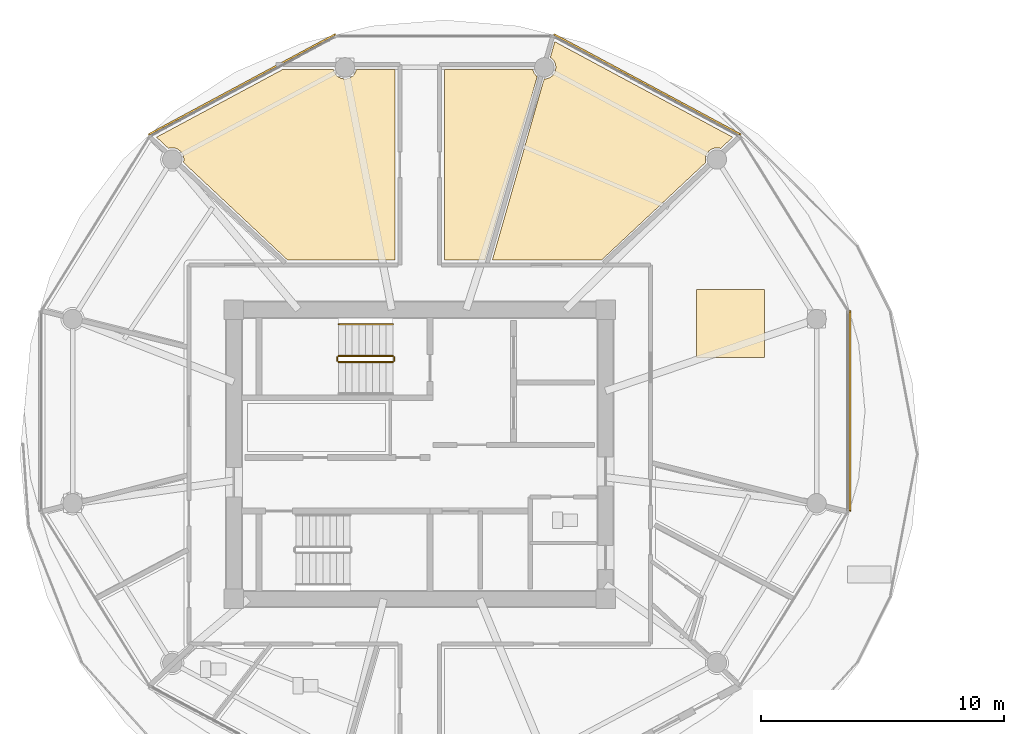
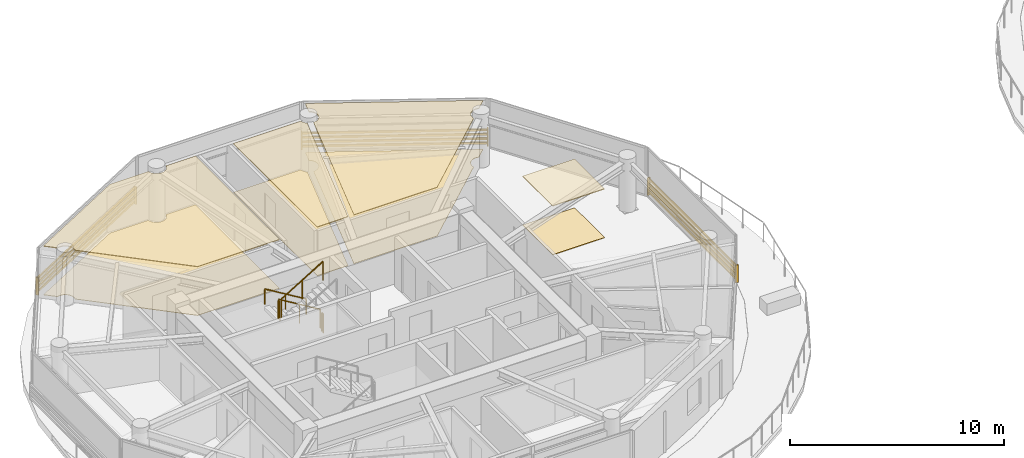
# One storey, part 21 of 28: 8 coverings, 5 railings, 3 shading devices.
"""IFC4 building model written with IfcOpenShell, lengths in metres."""

import ifcopenshell
import ifcopenshell.guid

model = None  # the IFC model being written
_history = None  # IfcOwnerHistory: only IFC2X3 demands one
_inside = {}  # id of a spatial element -> (the spatial element, [elements in it])
_under = {}  # id of a project, library or spatial element -> (it, [spatial elements below it])
_declared = {}  # id of a project -> (the project, [libraries it declares])
_typed = {}  # id of a type object -> (the type object, [elements of that type])
_made_of = {}  # id of a material, layer set ... -> (it, [elements and type objects made of it])


def new_model(schema):
    """Start an empty IFC model of exactly this schema.

    Asked for "IFC4X3", IfcOpenShell would pick the latest addendum, in which some entities
    have other attributes; the version numbers below select the first issue.
    IFC2X3 requires an IfcOwnerHistory on every rooted entity: one is made here for all.
    """
    global model, _history
    if schema == "IFC4X3":
        model = ifcopenshell.file(schema_version=(4, 3, 0, 0))
    else:
        model = ifcopenshell.file(schema=schema)
    _inside.clear()
    _under.clear()
    _declared.clear()
    _typed.clear()
    _made_of.clear()
    _history = None
    if model.schema == "IFC2X3":
        org = make("IfcOrganization", Name="unknown")
        user = make(
            "IfcPersonAndOrganization",
            ThePerson=make("IfcPerson", FamilyName="unknown"),
            TheOrganization=org,
        )
        app = make(
            "IfcApplication",
            ApplicationDeveloper=org,
            Version="unknown",
            ApplicationFullName="unknown",
            ApplicationIdentifier="unknown",
        )
        _history = make(
            "IfcOwnerHistory",
            OwningUser=user,
            OwningApplication=app,
            ChangeAction="ADDED",
            CreationDate=0,
        )
    return model


def make(cls, **values):
    """One entity of the class cls with the attributes given. An attribute that is None is left unset."""
    return model.create_entity(
        cls, **{name: value for name, value in values.items() if value is not None}
    )


def rooted(cls, **values):
    """An entity with a GlobalId (a new one), such as an element, a storey or a relation."""
    return make(cls, GlobalId=ifcopenshell.guid.new(), OwnerHistory=_history, **values)


def si_unit(unit_type, name, prefix=None):
    """IfcSIUnit, for example si_unit("LENGTHUNIT", "METRE", prefix="MILLI")."""
    return make("IfcSIUnit", UnitType=unit_type, Prefix=prefix, Name=name)


def assignment(units):
    """IfcUnitAssignment: the units of a project."""
    return None if units is None else make("IfcUnitAssignment", Units=units)


def point(xyz):
    """IfcCartesianPoint."""
    return None if xyz is None else make("IfcCartesianPoint", Coordinates=xyz)


def direction(xyz):
    """IfcDirection."""
    return None if xyz is None else make("IfcDirection", DirectionRatios=xyz)


def frame(location, z_axis=None, x_axis=None):
    """IfcAxis2Placement3D, a coordinate frame: its origin and axes. An axis left out is left unset."""
    return make(
        "IfcAxis2Placement3D",
        Location=point(location),
        Axis=direction(z_axis),
        RefDirection=direction(x_axis),
    )


def frame_2d(location, x_axis=None):
    """IfcAxis2Placement2D, a coordinate frame in the plane: its origin and x axis."""
    return make(
        "IfcAxis2Placement2D", Location=point(location), RefDirection=direction(x_axis)
    )


def origin():
    """The frame at (0, 0, 0) with its axes left unset."""
    return frame((0.0, 0.0, 0.0))


def origin_2d():
    """The frame at (0, 0) in the plane with its x axis left unset."""
    return frame_2d((0.0, 0.0))


def place(relative_to, where):
    """IfcLocalPlacement: puts the frame where relative to a parent placement (None: the world)."""
    return make(
        "IfcLocalPlacement", PlacementRelTo=relative_to, RelativePlacement=where
    )


def context(
    kind, dimensions, precision=None, world=None, true_north=None, identifier=None
):
    """IfcGeometricRepresentationContext, for example the 3D "Model" context."""
    return make(
        "IfcGeometricRepresentationContext",
        ContextIdentifier=identifier,
        ContextType=kind,
        CoordinateSpaceDimension=dimensions,
        Precision=precision,
        WorldCoordinateSystem=world,
        TrueNorth=true_north,
    )


def subcontext(parent, identifier, kind, view, scale=None):
    """IfcGeometricRepresentationSubContext, for example "Body" below "Model"."""
    return make(
        "IfcGeometricRepresentationSubContext",
        ContextIdentifier=identifier,
        ContextType=kind,
        ParentContext=parent,
        TargetScale=scale,
        TargetView=view,
    )


def project(units=None, contexts=None):
    """IfcProject with its units and contexts."""
    return rooted(
        "IfcProject",
        Name="project",
        RepresentationContexts=contexts,
        UnitsInContext=assignment(units),
    )


def spatial(cls, under=None, at=None, **own):
    """A site, building, storey or space (cls), placed at a placement, below another one or the project."""
    s = rooted(cls, ObjectPlacement=at, **own)
    if under is not None:
        _under.setdefault(under.id(), (under, []))[1].append(s)
    return s


def polyline(points):
    """IfcPolyline through the points."""
    return make("IfcPolyline", Points=[point(p) for p in points])


def profile(cls, at=None, kind="AREA", **sizes):
    """A parametric profile (cls). Its sizes go by their IFC names, for example OverallWidth=200.0."""
    return make(cls, ProfileType=kind, Position=at, **sizes)


def rectangle(**sizes):
    """IfcRectangleProfileDef."""
    return profile("IfcRectangleProfileDef", **sizes)


def outline(outer, holes=None, kind="AREA"):
    """IfcArbitraryClosedProfileDef: a profile drawn as a closed curve; with holes, ...WithVoids."""
    if holes is None:
        return make("IfcArbitraryClosedProfileDef", ProfileType=kind, OuterCurve=outer)
    return make(
        "IfcArbitraryProfileDefWithVoids",
        ProfileType=kind,
        OuterCurve=outer,
        InnerCurves=holes,
    )


def extrude(swept, where, along, depth):
    """IfcExtrudedAreaSolid: the profile swept, set in the frame where, extruded along a direction by depth."""
    return make(
        "IfcExtrudedAreaSolid",
        SweptArea=swept,
        Position=where,
        ExtrudedDirection=direction(along),
        Depth=depth,
    )


def shape(context_of_items, identifier, shape_type, items):
    """IfcShapeRepresentation: the items that make up one representation, for example the "Body"."""
    return make(
        "IfcShapeRepresentation",
        ContextOfItems=context_of_items,
        RepresentationIdentifier=identifier,
        RepresentationType=shape_type,
        Items=items,
    )


def source(mapping_origin, context_of_items, identifier, shape_type, items):
    """IfcRepresentationMap: a shape defined once, which mapped items show again and again."""
    return make(
        "IfcRepresentationMap",
        MappingOrigin=mapping_origin,
        MappedRepresentation=shape(context_of_items, identifier, shape_type, items),
    )


def transform(
    local_origin,
    x_axis=None,
    y_axis=None,
    z_axis=None,
    scale=None,
    scale2=None,
    scale3=None,
    uniform=True,
):
    """IfcCartesianTransformationOperator3D, or its non-uniform kind. x_axis, y_axis, z_axis: its Axis1, 2, 3."""
    if uniform:
        return make(
            "IfcCartesianTransformationOperator3D",
            Axis1=direction(x_axis),
            Axis2=direction(y_axis),
            LocalOrigin=point(local_origin),
            Scale=scale,
            Axis3=direction(z_axis),
        )
    return make(
        "IfcCartesianTransformationOperator3DnonUniform",
        Axis1=direction(x_axis),
        Axis2=direction(y_axis),
        LocalOrigin=point(local_origin),
        Scale=scale,
        Axis3=direction(z_axis),
        Scale2=scale2,
        Scale3=scale3,
    )


def mapped(mapping_source, mapping_target):
    """IfcMappedItem: shows the shape of a source again, moved by a transform."""
    return make(
        "IfcMappedItem", MappingSource=mapping_source, MappingTarget=mapping_target
    )


def material(Name=None, Category=None):
    """IfcMaterial."""
    return make("IfcMaterial", Name=Name, Category=Category)


def layer(
    of_material, thickness, ventilated=None, Name=None, Category=None, Priority=None
):
    """IfcMaterialLayer: one layer of a wall or slab, of a material (None: an air gap)."""
    return make(
        "IfcMaterialLayer",
        Material=of_material,
        LayerThickness=thickness,
        IsVentilated=ventilated,
        Name=Name,
        Category=Category,
        Priority=Priority,
    )


def layer_set(layers, Name=None):
    """IfcMaterialLayerSet."""
    return make("IfcMaterialLayerSet", MaterialLayers=layers, LayerSetName=Name)


def made_of(thing, what):
    """Note that an element or type object is made of a material, layer set ...; save() writes the relation."""
    if what is not None:
        _made_of.setdefault(what.id(), (what, []))[1].append(thing)
    return thing


def type_object(cls, material=None, **own):
    """A type object (cls), such as IfcWallType, which elements share."""
    return made_of(rooted(cls, **own), material)


def type_shapes(of_type, sources):
    """Give a type object the sources (RepresentationMaps) that its elements show as mapped items."""
    of_type.RepresentationMaps = sources


def element(
    cls,
    number,
    at=None,
    inside=None,
    cuts=None,
    type_object=None,
    material=None,
    context=None,
    identifier="Body",
    shape_type=None,
    held_by="IfcProductDefinitionShape",
    body=None,
    shapes=None,
    **own,
):
    """One element of the class cls, such as IfcWall. Its Tag is "e" and its number.

    at: its placement. inside: the storey or other place that contains it. cuts: it is an
    opening in that element (IfcRelVoidsElement). A single representation is given by context,
    identifier, shape_type and body (its items); several are given by shapes. held_by: the class
    of the entity that holds the representations. save() writes the other relations.
    """
    e = rooted(cls, Tag="e%d" % number, ObjectPlacement=at, **own)
    if body is not None:
        shapes = [shape(context, identifier, shape_type, body)]
    if shapes is not None:
        e.Representation = make(held_by, Representations=shapes)
    if inside is not None:
        _inside.setdefault(inside.id(), (inside, []))[1].append(e)
    if cuts is not None:
        rooted(
            "IfcRelVoidsElement", RelatingBuildingElement=cuts, RelatedOpeningElement=e
        )
    if type_object is not None:
        _typed.setdefault(type_object.id(), (type_object, []))[1].append(e)
    return made_of(e, material)


def aggregate(whole, parts):
    """IfcRelAggregates: a whole, such as a stair, and the parts it consists of."""
    return rooted("IfcRelAggregates", RelatingObject=whole, RelatedObjects=parts)


def save(model, path):
    """Write the relations noted so far, then the file.

    IfcRelAggregates (storeys below a building ...), IfcRelContainedInSpatialStructure (elements
    in a storey), IfcRelDefinesByType, IfcRelAssociatesMaterial and IfcRelDeclares: one each for
    every whole, place, type object, material and project.
    """
    for whole, parts in _under.values():
        aggregate(whole, parts)
    for where, things in _inside.values():
        rooted(
            "IfcRelContainedInSpatialStructure",
            RelatedElements=things,
            RelatingStructure=where,
        )
    for kind, things in _typed.values():
        rooted("IfcRelDefinesByType", RelatedObjects=things, RelatingType=kind)
    for what, things in _made_of.values():
        rooted("IfcRelAssociatesMaterial", RelatedObjects=things, RelatingMaterial=what)
    for by, libraries in _declared.values():
        rooted("IfcRelDeclares", RelatingContext=by, RelatedDefinitions=libraries)
    model.write(path)


model = new_model("IFC4")

# Units and contexts
model_context = context("Model", 3, precision=1e-05, world=origin(), true_north=direction((0.0, 1.0)))
body_context = subcontext(model_context, "Body", "Model", "MODEL_VIEW")
ifc_project = project(units=[si_unit("LENGTHUNIT", "METRE"), si_unit("AREAUNIT", "SQUARE_METRE"), si_unit("VOLUMEUNIT", "CUBIC_METRE"), si_unit("PLANEANGLEUNIT", "RADIAN"), si_unit("MASSUNIT", "GRAM", prefix="KILO")], contexts=[model_context])

# Site, building, storey
site_placement = place(None, origin())
site = spatial("IfcSite", under=ifc_project, at=site_placement, CompositionType="ELEMENT")
building_placement = place(site_placement, origin())
building = spatial("IfcBuilding", under=site, at=building_placement, Name="Norrkilde Senior Care Towers", CompositionType="ELEMENT")
storey_placement = place(building_placement, frame((0.0, 0.0, 134.300048828125)))
storey = spatial("IfcBuildingStorey", under=building, at=storey_placement, Name="L41", CompositionType="ELEMENT", Elevation=134.300048828125)

# Coverings
ifc_material_1 = material(Name="Nordic Ash Timber", Category="wood")
ifc_layer_1 = layer(ifc_material_1, 0.044921875)
ifc_layer_set_1 = layer_set([ifc_layer_1], Name="Nordic Ash Timber")
covering_type_1 = type_object("IfcCoveringType", Name="Acoustic Ash Timber Slatted Ceiling 45", PredefinedType="CEILING", material=ifc_layer_set_1)
covering_1_placement = place(storey_placement, frame((0.0, 0.0, 2.764892578125)))
element("IfcCovering", 1, at=covering_1_placement, inside=storey, type_object=covering_type_1, Name="L41 Suspended Ceiling 0274", PredefinedType="CEILING", context=body_context, shape_type="SweptSolid", body=[
    extrude(outline(polyline([(-31.546630859375, 15.845458984375), (-31.541015625, 15.802001953125), (-31.492919921875, 15.686279296875), (-31.416748046875, 15.586669921875), (-31.3173828125, 15.510498046875), (-31.201416015625, 15.46240234375), (-31.077392578125, 15.446044921875), (-30.953125, 15.46240234375), (-30.83740234375, 15.510498046875), (-30.73779296875, 15.586669921875), (-30.66162109375, 15.686279296875), (-30.613525390625, 15.802001953125), (-30.60791015625, 15.845458984375), (-29.02001953125, 15.845458984375), (-29.02001953125, 8.0), (-33.4404296875, 8.0), (-37.718994140625, 12.01025390625), (-37.718994140625, 12.01025390625), (-37.70263671875, 12.134521484375), (-37.718994140625, 12.2587890625), (-37.766845703125, 12.37451171875), (-37.84326171875, 12.473876953125), (-37.942626953125, 12.550048828125), (-38.058349609375, 12.59814453125), (-38.1826171875, 12.614501953125), (-38.306884765625, 12.59814453125), (-38.334228515625, 12.5869140625), (-38.830810546875, 13.05224609375), (-33.628662109375, 15.845458984375), (-31.546630859375, 15.845458984375)])), origin(), (0.0, 0.0, 1.0), 0.045166015625),
])
covering_2_placement = place(storey_placement, frame((0.0, 0.0, 2.764892578125)))
element("IfcCovering", 2, at=covering_2_placement, inside=storey, type_object=covering_type_1, Name="L41 Suspended Ceiling 0275", PredefinedType="CEILING", context=body_context, shape_type="SweptSolid", body=[
    extrude(outline(polyline([(-25.3203125, 8.0), (-26.97998046875, 8.0), (-26.97998046875, 15.845458984375), (-23.342041015625, 15.845458984375), (-23.33642578125, 15.802001953125), (-23.288330078125, 15.686279296875), (-23.212158203125, 15.586669921875), (-23.162353515625, 15.548583984375), (-25.3203125, 8.0)])), origin(), (0.0, 0.0, 1.0), 0.045166015625),
])
covering_3_placement = place(storey_placement, frame((0.0, 0.0, 2.764892578125)))
element("IfcCovering", 3, at=covering_3_placement, inside=storey, type_object=covering_type_1, Name="L41 Suspended Ceiling 0286", PredefinedType="CEILING", context=body_context, shape_type="SweptSolid", body=[
    extrude(outline(polyline([(-16.602294921875, 3.98486328125), (-16.602294921875, 6.784912109375), (-13.802490234375, 6.784912109375), (-13.802490234375, 3.98486328125), (-16.602294921875, 3.98486328125)])), origin(), (0.0, 0.0, 1.0), 0.045166015625),
])
covering_4_placement = place(storey_placement, frame((0.0, 0.0, 2.764892578125)))
element("IfcCovering", 4, at=covering_4_placement, inside=storey, type_object=covering_type_1, Name="L41 Suspended Ceiling 0287", PredefinedType="CEILING", context=body_context, shape_type="SweptSolid", body=[
    extrude(outline(polyline([(-15.64306640625, 12.59814453125), (-15.767333984375, 12.614501953125), (-15.8916015625, 12.59814453125), (-16.00732421875, 12.550048828125), (-16.106689453125, 12.473876953125), (-16.18310546875, 12.37451171875), (-16.23095703125, 12.2587890625), (-16.247314453125, 12.134521484375), (-16.23095703125, 12.01025390625), (-16.23095703125, 12.01025390625), (-20.509521484375, 8.0), (-25.00830078125, 8.0), (-22.87939453125, 15.447021484375), (-22.872802734375, 15.446044921875), (-22.74853515625, 15.46240234375), (-22.6328125, 15.510498046875), (-22.533203125, 15.586669921875), (-22.45703125, 15.686279296875), (-22.4091796875, 15.802001953125), (-22.392822265625, 15.92626953125), (-22.4091796875, 16.05029296875), (-22.45703125, 16.166259765625), (-22.533203125, 16.265625), (-22.625244140625, 16.336181640625), (-22.4404296875, 16.983154296875), (-15.119384765625, 13.05224609375), (-15.61572265625, 12.5869140625), (-15.64306640625, 12.59814453125)])), origin(), (0.0, 0.0, 1.0), 0.045166015625),
])
ifc_material_2 = material(Name="Slip-Resistant Porcelain Stone", Category="masonry")
ifc_layer_2 = layer(ifc_material_2, 0.02490234375)
ifc_layer_set_2 = layer_set([ifc_layer_2], Name="Slip-Resistant Porcelain Stone")
covering_type_2 = type_object("IfcCoveringType", Name="Slip-Resistant Porcelain Flooring 25", PredefinedType="FLOORING", material=ifc_layer_set_2)
covering_5_placement = place(storey_placement, origin())
element("IfcCovering", 5, at=covering_5_placement, inside=storey, type_object=covering_type_2, Name="L41 Floor Finish 0274", PredefinedType="FLOORING", context=body_context, shape_type="SweptSolid", body=[
    extrude(outline(polyline([(-31.546630859375, 15.845458984375), (-31.541015625, 15.802001953125), (-31.492919921875, 15.686279296875), (-31.416748046875, 15.586669921875), (-31.3173828125, 15.510498046875), (-31.201416015625, 15.46240234375), (-31.077392578125, 15.446044921875), (-30.953125, 15.46240234375), (-30.83740234375, 15.510498046875), (-30.73779296875, 15.586669921875), (-30.66162109375, 15.686279296875), (-30.613525390625, 15.802001953125), (-30.60791015625, 15.845458984375), (-29.02001953125, 15.845458984375), (-29.02001953125, 8.0), (-33.4404296875, 8.0), (-37.718994140625, 12.01025390625), (-37.718994140625, 12.01025390625), (-37.70263671875, 12.134521484375), (-37.718994140625, 12.2587890625), (-37.766845703125, 12.37451171875), (-37.84326171875, 12.473876953125), (-37.942626953125, 12.550048828125), (-38.058349609375, 12.59814453125), (-38.1826171875, 12.614501953125), (-38.306884765625, 12.59814453125), (-38.334228515625, 12.5869140625), (-38.830810546875, 13.05224609375), (-33.628662109375, 15.845458984375), (-31.546630859375, 15.845458984375)])), origin(), (0.0, 0.0, 1.0), 0.02490234375),
])
covering_6_placement = place(storey_placement, origin())
element("IfcCovering", 6, at=covering_6_placement, inside=storey, type_object=covering_type_2, Name="L41 Floor Finish 0275", PredefinedType="FLOORING", context=body_context, shape_type="SweptSolid", body=[
    extrude(outline(polyline([(-25.3203125, 8.0), (-26.97998046875, 8.0), (-26.97998046875, 15.845458984375), (-23.342041015625, 15.845458984375), (-23.33642578125, 15.802001953125), (-23.288330078125, 15.686279296875), (-23.212158203125, 15.586669921875), (-23.162353515625, 15.548583984375), (-25.3203125, 8.0)])), origin(), (0.0, 0.0, 1.0), 0.02490234375),
])
covering_7_placement = place(storey_placement, origin())
element("IfcCovering", 7, at=covering_7_placement, inside=storey, type_object=covering_type_2, Name="L41 Floor Finish 0286", PredefinedType="FLOORING", context=body_context, shape_type="SweptSolid", body=[
    extrude(outline(polyline([(-16.602294921875, 3.98486328125), (-16.602294921875, 6.784912109375), (-13.802490234375, 6.784912109375), (-13.802490234375, 3.98486328125), (-16.602294921875, 3.98486328125)])), origin(), (0.0, 0.0, 1.0), 0.02490234375),
])
covering_8_placement = place(storey_placement, origin())
element("IfcCovering", 8, at=covering_8_placement, inside=storey, type_object=covering_type_2, Name="L41 Floor Finish 0287", PredefinedType="FLOORING", context=body_context, shape_type="SweptSolid", body=[
    extrude(outline(polyline([(-15.64306640625, 12.59814453125), (-15.767333984375, 12.614501953125), (-15.8916015625, 12.59814453125), (-16.00732421875, 12.550048828125), (-16.106689453125, 12.473876953125), (-16.18310546875, 12.37451171875), (-16.23095703125, 12.2587890625), (-16.247314453125, 12.134521484375), (-16.23095703125, 12.01025390625), (-16.23095703125, 12.01025390625), (-20.509521484375, 8.0), (-25.00830078125, 8.0), (-22.87939453125, 15.447021484375), (-22.872802734375, 15.446044921875), (-22.74853515625, 15.46240234375), (-22.6328125, 15.510498046875), (-22.533203125, 15.586669921875), (-22.45703125, 15.686279296875), (-22.4091796875, 15.802001953125), (-22.392822265625, 15.92626953125), (-22.4091796875, 16.05029296875), (-22.45703125, 16.166259765625), (-22.533203125, 16.265625), (-22.625244140625, 16.336181640625), (-22.4404296875, 16.983154296875), (-15.119384765625, 13.05224609375), (-15.61572265625, 12.5869140625), (-15.64306640625, 12.59814453125)])), origin(), (0.0, 0.0, 1.0), 0.02490234375),
])

# Railings
ifc_material_3 = material(Name="Stainless Steel", Category="steel")
railing_type_1 = type_object("IfcRailingType", Name="Stair and Terrace Guardrail 1100", PredefinedType="GUARDRAIL", material=ifc_material_3)
railing_1_placement = place(storey_placement, frame((-29.10009765625, 4.050048828125, 0.16943359375)))
element("IfcRailing", 9, at=railing_1_placement, inside=storey, type_object=railing_type_1, Name="L41 ST-W1 stair guard 1", PredefinedType="GUARDRAIL", context=body_context, shape_type="SweptSolid", body=[
    extrude(rectangle(XDim=0.048095703125, YDim=0.048095703125, at=origin_2d()), frame((0.0, 0.0, 1.076171875), z_axis=(-0.855553338991, 0.0, 0.51771467445), x_axis=(0.0, -1.0, 0.0)), (0.0, 0.0, 1.0), 2.6181640625),
    extrude(rectangle(XDim=0.0419921875, YDim=0.0419921875, at=origin_2d()), origin(), (0.0, 0.0, 1.0), 1.050048828125),
    extrude(rectangle(XDim=0.0419921875, YDim=0.0419921875, at=origin_2d()), frame((-1.1201171875, 0.0, 0.677734375)), (0.0, 0.0, 1.0), 1.050048828125),
    extrude(rectangle(XDim=0.0419921875, YDim=0.0419921875, at=origin_2d()), frame((-2.239990234375, 0.0, 1.35546875)), (0.0, 0.0, 1.0), 1.050048828125),
])
railing_2_placement = place(storey_placement, frame((-31.389892578125, 4.0, 1.52490234375)))
element("IfcRailing", 10, at=railing_2_placement, inside=storey, type_object=railing_type_1, Name="L41 ST-W1 stair guard 2", PredefinedType="GUARDRAIL", context=body_context, shape_type="SweptSolid", body=[
    extrude(rectangle(XDim=0.048095703125, YDim=0.048095703125, at=origin_2d()), frame((0.0, 0.0, 1.076171875), z_axis=(0.0, -1.0, 0.0), x_axis=(1.0, 0.0, 0.0)), (0.0, 0.0, 1.0), 0.14990234375),
    extrude(rectangle(XDim=0.0419921875, YDim=0.0419921875, at=origin_2d()), origin(), (0.0, 0.0, 1.0), 1.050048828125),
    extrude(rectangle(XDim=0.0419921875, YDim=0.0419921875, at=origin_2d()), frame((0.0, -0.14990234375, 0.0)), (0.0, 0.0, 1.0), 1.050048828125),
])
railing_3_placement = place(storey_placement, frame((-31.340087890625, 3.800048828125, 1.6943359375)))
element("IfcRailing", 11, at=railing_3_placement, inside=storey, type_object=railing_type_1, Name="L41 ST-W1 stair guard 3", PredefinedType="GUARDRAIL", context=body_context, shape_type="SweptSolid", body=[
    extrude(rectangle(XDim=0.048095703125, YDim=0.048095703125, at=origin_2d()), frame((0.0, 0.0, 1.076171875), z_axis=(0.855512035549, 0.0, 0.517782924622), x_axis=(0.0, 1.0, 0.0)), (0.0, 0.0, 1.0), 2.618408203125),
    extrude(rectangle(XDim=0.0419921875, YDim=0.0419921875, at=origin_2d()), origin(), (0.0, 0.0, 1.0), 1.050048828125),
    extrude(rectangle(XDim=0.0419921875, YDim=0.0419921875, at=origin_2d()), frame((1.1201171875, 0.0, 0.677734375)), (0.0, 0.0, 1.0), 1.050048828125),
    extrude(rectangle(XDim=0.0419921875, YDim=0.0419921875, at=origin_2d()), frame((2.239990234375, 0.0, 1.355712890625)), (0.0, 0.0, 1.0), 1.050048828125),
])
railing_4_placement = place(storey_placement, frame((-29.050048828125, 4.0, 0.0)))
element("IfcRailing", 12, at=railing_4_placement, inside=storey, type_object=railing_type_1, Name="L41 ST-W1 stair guard 4", PredefinedType="GUARDRAIL", context=body_context, shape_type="SweptSolid", body=[
    extrude(rectangle(XDim=0.048095703125, YDim=0.048095703125, at=origin_2d()), frame((0.0, 0.0, 1.076171875), z_axis=(0.0, -1.0, 0.0), x_axis=(1.0, 0.0, 0.0)), (0.0, 0.0, 1.0), 0.14990234375),
    extrude(rectangle(XDim=0.0419921875, YDim=0.0419921875, at=origin_2d()), origin(), (0.0, 0.0, 1.0), 1.050048828125),
    extrude(rectangle(XDim=0.0419921875, YDim=0.0419921875, at=origin_2d()), frame((0.0, -0.14990234375, 0.0)), (0.0, 0.0, 1.0), 1.050048828125),
])
railing_type_2 = type_object("IfcRailingType", Name="Wall and Stair Handrail 900", PredefinedType="HANDRAIL", material=ifc_material_1)
railing_5_placement = place(storey_placement, frame((-29.10009765625, 5.35009765625, 0.16943359375)))
element("IfcRailing", 13, at=railing_5_placement, inside=storey, type_object=railing_type_2, Name="L41 ST-W1 stair handrail 1", PredefinedType="HANDRAIL", context=body_context, shape_type="SweptSolid", body=[
    extrude(rectangle(XDim=0.048095703125, YDim=0.048095703125, at=origin_2d()), frame((0.0, 0.0, 0.8759765625), z_axis=(-0.855553338991, 0.0, 0.51771467445), x_axis=(0.0, -1.0, 0.0)), (0.0, 0.0, 1.0), 2.6181640625),
    extrude(rectangle(XDim=0.0419921875, YDim=0.0419921875, at=origin_2d()), origin(), (0.0, 0.0, 1.0), 0.849853515625),
    extrude(rectangle(XDim=0.0419921875, YDim=0.0419921875, at=origin_2d()), frame((-1.1201171875, 0.0, 0.677734375)), (0.0, 0.0, 1.0), 0.849853515625),
    extrude(rectangle(XDim=0.0419921875, YDim=0.0419921875, at=origin_2d()), frame((-2.239990234375, 0.0, 1.35546875)), (0.0, 0.0, 1.0), 0.849853515625),
])

# Shading devices
ifc_material_4 = material(Name="Architectural Terracotta", Category="masonry")
shading_device_type = type_object("IfcShadingDeviceType", Name="Horizontal Terracotta Baguette Rack", PredefinedType="USERDEFINED", material=ifc_material_4)
shared_shape_1 = source(origin(), body_context, "Body", "SweptSolid", [
    extrude(rectangle(XDim=0.070068359375, YDim=0.110107421875, at=origin_2d()), frame((0.0, 0.090087890625, 0.125), z_axis=(1.0, 0.0, 0.0), x_axis=(0.0, 1.0, 0.0)), (0.0, 0.0, 1.0), 8.741943359375),
    extrude(rectangle(XDim=0.070068359375, YDim=0.110107421875, at=origin_2d()), frame((0.0, 0.090087890625, 0.375), z_axis=(1.0, 0.0, 0.0), x_axis=(0.0, 1.0, 0.0)), (0.0, 0.0, 1.0), 8.741943359375),
    extrude(rectangle(XDim=0.070068359375, YDim=0.110107421875, at=origin_2d()), frame((0.0, 0.090087890625, 0.625), z_axis=(1.0, 0.0, 0.0), x_axis=(0.0, 1.0, 0.0)), (0.0, 0.0, 1.0), 8.741943359375),
    extrude(rectangle(XDim=0.070068359375, YDim=0.110107421875, at=origin_2d()), frame((0.0, 0.090087890625, 0.875), z_axis=(1.0, 0.0, 0.0), x_axis=(0.0, 1.0, 0.0)), (0.0, 0.0, 1.0), 8.741943359375),
    extrude(rectangle(XDim=0.050048828125, YDim=0.1552734375, at=origin_2d()), frame((0.02490234375, 0.047607421875, 0.0)), (0.0, 0.0, 1.0), 1.0),
    extrude(rectangle(XDim=0.050048828125, YDim=0.1552734375, at=origin_2d()), frame((8.716796875, 0.047607421875, 0.0)), (0.0, 0.0, 1.0), 1.0),
])
shading_device_1_placement = place(storey_placement, frame((-22.528564453125, 17.2109375, 0.079833984375), z_axis=(0.0, 0.0, 1.0), x_axis=(0.881000921608, -0.473119781048, 0.0)))
element("IfcShadingDevice", 14, at=shading_device_1_placement, inside=storey, type_object=shading_device_type, Name="L41 Drum W Terracotta Baguette Screen 01", ObjectType="BAGUETTE", PredefinedType="USERDEFINED", context=body_context, shape_type="MappedRepresentation", body=[
    mapped(shared_shape_1, transform((0.0, 0.0, 0.0), x_axis=(1.0, 0.0, 0.0), y_axis=(0.0, 1.0, 0.0), z_axis=(0.0, 0.0, 1.0), scale=1.0)),
])
shared_shape_2 = source(origin(), body_context, "Body", "SweptSolid", [
    extrude(rectangle(XDim=0.070068359375, YDim=0.110107421875, at=origin_2d()), frame((0.0, 0.090087890625, 0.125), z_axis=(1.0, 0.0, 0.0), x_axis=(0.0, 1.0, 0.0)), (0.0, 0.0, 1.0), 8.74169921875),
    extrude(rectangle(XDim=0.070068359375, YDim=0.110107421875, at=origin_2d()), frame((0.0, 0.090087890625, 0.375), z_axis=(1.0, 0.0, 0.0), x_axis=(0.0, 1.0, 0.0)), (0.0, 0.0, 1.0), 8.74169921875),
    extrude(rectangle(XDim=0.070068359375, YDim=0.110107421875, at=origin_2d()), frame((0.0, 0.090087890625, 0.625), z_axis=(1.0, 0.0, 0.0), x_axis=(0.0, 1.0, 0.0)), (0.0, 0.0, 1.0), 8.74169921875),
    extrude(rectangle(XDim=0.070068359375, YDim=0.110107421875, at=origin_2d()), frame((0.0, 0.090087890625, 0.875), z_axis=(1.0, 0.0, 0.0), x_axis=(0.0, 1.0, 0.0)), (0.0, 0.0, 1.0), 8.74169921875),
    extrude(rectangle(XDim=0.050048828125, YDim=0.1552734375, at=origin_2d()), frame((0.02490234375, 0.047607421875, 0.0)), (0.0, 0.0, 1.0), 1.0),
    extrude(rectangle(XDim=0.050048828125, YDim=0.1552734375, at=origin_2d()), frame((8.716796875, 0.047607421875, 0.0)), (0.0, 0.0, 1.0), 1.0),
])
shading_device_2_placement = place(storey_placement, frame((-39.123046875, 13.074951171875, 0.079833984375), z_axis=(0.0, 0.0, 1.0), x_axis=(0.880997598168, 0.47313299447, 0.0)))
element("IfcShadingDevice", 15, at=shading_device_2_placement, inside=storey, type_object=shading_device_type, Name="L41 Drum W Terracotta Baguette Screen 03", ObjectType="BAGUETTE", PredefinedType="USERDEFINED", context=body_context, shape_type="MappedRepresentation", body=[
    mapped(shared_shape_2, transform((0.0, 0.0, 0.0), x_axis=(1.0, 0.0, 0.0), y_axis=(0.0, 1.0, 0.0), z_axis=(0.0, 0.0, 1.0), scale=1.0)),
])
shared_shape_3 = source(origin(), body_context, "Body", "SweptSolid", [
    extrude(rectangle(XDim=0.070068359375, YDim=0.110107421875, at=origin_2d()), frame((0.0, 0.090087890625, 0.125), z_axis=(1.0, 0.0, 0.0), x_axis=(0.0, 1.0, 0.0)), (0.0, 0.0, 1.0), 8.27197265625),
    extrude(rectangle(XDim=0.070068359375, YDim=0.110107421875, at=origin_2d()), frame((0.0, 0.090087890625, 0.375), z_axis=(1.0, 0.0, 0.0), x_axis=(0.0, 1.0, 0.0)), (0.0, 0.0, 1.0), 8.27197265625),
    extrude(rectangle(XDim=0.070068359375, YDim=0.110107421875, at=origin_2d()), frame((0.0, 0.090087890625, 0.625), z_axis=(1.0, 0.0, 0.0), x_axis=(0.0, 1.0, 0.0)), (0.0, 0.0, 1.0), 8.27197265625),
    extrude(rectangle(XDim=0.070068359375, YDim=0.110107421875, at=origin_2d()), frame((0.0, 0.090087890625, 0.875), z_axis=(1.0, 0.0, 0.0), x_axis=(0.0, 1.0, 0.0)), (0.0, 0.0, 1.0), 8.27197265625),
    extrude(rectangle(XDim=0.050048828125, YDim=0.1552734375, at=origin_2d()), frame((0.02490234375, 0.047607421875, 0.0)), (0.0, 0.0, 1.0), 1.0),
    extrude(rectangle(XDim=0.050048828125, YDim=0.1552734375, at=origin_2d()), frame((8.2470703125, 0.047607421875, 0.0)), (0.0, 0.0, 1.0), 1.0),
])
type_shapes(shading_device_type, [shared_shape_1, shared_shape_2, shared_shape_3])
shading_device_3_placement = place(storey_placement, frame((-10.38037109375, 5.911376953125, 0.079833984375), z_axis=(0.0, 0.0, 1.0), x_axis=(0.0, -1.0, 0.0)))
element("IfcShadingDevice", 16, at=shading_device_3_placement, inside=storey, type_object=shading_device_type, Name="L41 Drum W Terracotta Baguette Screen 11", ObjectType="BAGUETTE", PredefinedType="USERDEFINED", context=body_context, shape_type="MappedRepresentation", body=[
    mapped(shared_shape_3, transform((0.0, 0.0, 0.0), x_axis=(1.0, 0.0, 0.0), y_axis=(0.0, 1.0, 0.0), z_axis=(0.0, 0.0, 1.0), scale=1.0)),
])

save(model, "model.ifc")
